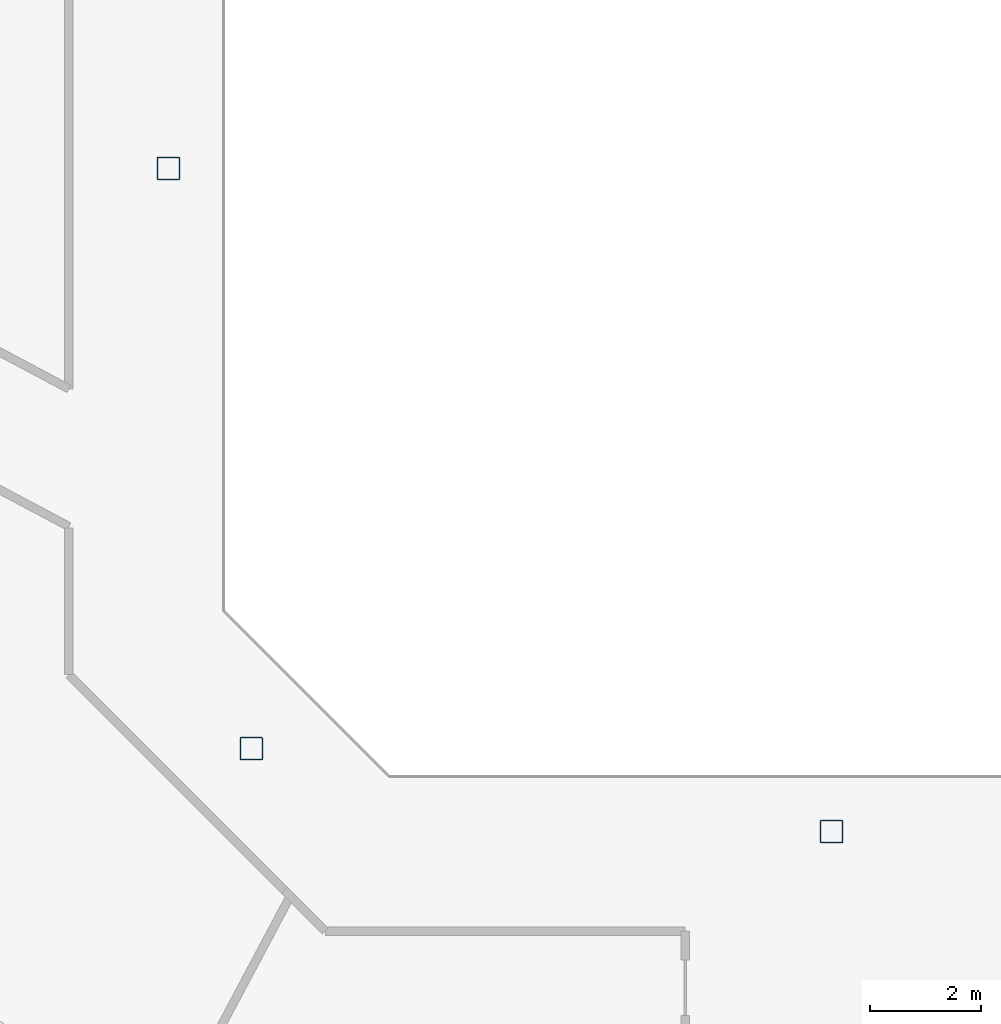
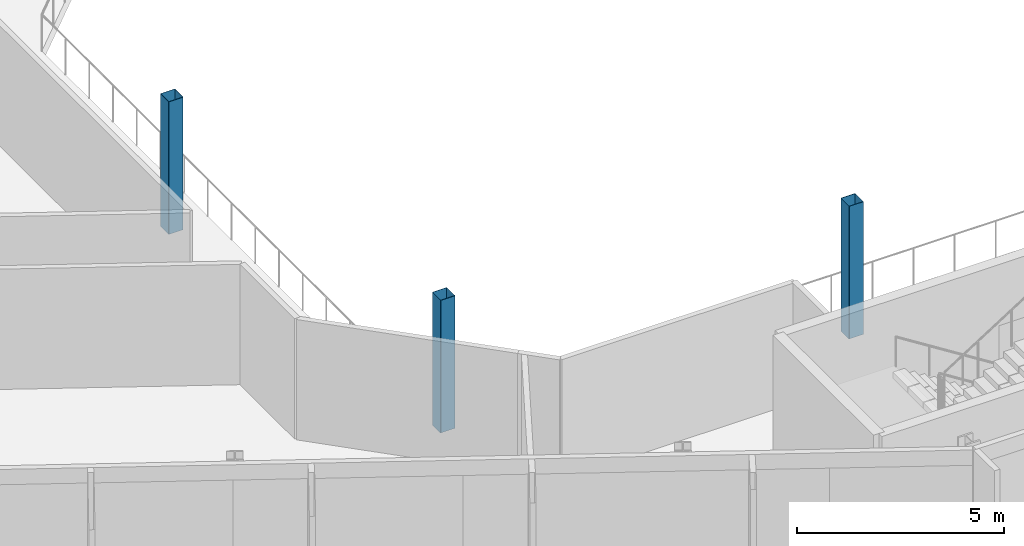
# One storey, part 2 of 26: 3 columns.
"""IFC4 building model written with IfcOpenShell, lengths in metres."""

from ifc_helpers import new_model, si_unit, direction, frame, origin, origin_2d, place, context, subcontext, project, spatial, hollow_rectangle, extrude, material, material_profile, profile_set, type_object, element, save


model = new_model("IFC4")

# Units and contexts
model_context = context("Model", 3, precision=1e-05, world=origin(), true_north=direction((0.0, 1.0)))
body_context = subcontext(model_context, "Body", "Model", "MODEL_VIEW")
ifc_project = project(units=[si_unit("LENGTHUNIT", "METRE"), si_unit("AREAUNIT", "SQUARE_METRE"), si_unit("VOLUMEUNIT", "CUBIC_METRE"), si_unit("PLANEANGLEUNIT", "RADIAN"), si_unit("MASSUNIT", "GRAM", prefix="KILO")], contexts=[model_context])

# Site, building, storey
site_placement = place(None, origin())
site = spatial("IfcSite", under=ifc_project, at=site_placement, CompositionType="ELEMENT")
building_placement = place(site_placement, origin())
building = spatial("IfcBuilding", under=site, at=building_placement, Name="Cormorant Relay Tower", CompositionType="ELEMENT")
storey_placement = place(building_placement, frame((0.0, 0.0, 277.5)))
storey = spatial("IfcBuildingStorey", under=building, at=storey_placement, Name="L62", CompositionType="ELEMENT", Elevation=277.5)

# Columns
ifc_material = material(Name="Steel ASTM A500 Grade C (Fy 345 MPa)", Category="steel")
ifc_material_profile = material_profile(ifc_material, hollow_rectangle(XDim=0.406494140625, YDim=0.406494140625, WallThickness=0.0087890625, InnerFilletRadius=0.00439453125, OuterFilletRadius=0.01318359375, at=origin_2d()), Name="HSS406x406x9")
ifc_profile_set = profile_set([ifc_material_profile], Name="Steel ASTM A500 Grade C (Fy 345 MPa)")
column_type = type_object("IfcColumnType", Name="Column HSS406x406x9", PredefinedType="COLUMN", material=ifc_profile_set)
for number, where, z_axis, x_axis, name in (
    (1, (0.0, -12.0, 0.0), (0.0, 0.0, 1.0), (1.0, 0.0, 0.0), "Column L62-007"),
    (2, (-10.5, -10.5, 0.0), (0.0, 0.0, 1.0), (1.0, 0.0, 0.0), "Column L62-009"),
    (3, (-12.0, 0.0, 0.0), (0.0, 0.0, 1.0), (1.0, 0.0, 0.0), "Column L62-015"),
):
    element("IfcColumn", number, at=place(storey_placement, frame(where, z_axis=z_axis, x_axis=x_axis)), inside=storey, type_object=column_type, Name=name, PredefinedType="COLUMN", context=body_context, shape_type="SweptSolid", body=[
        extrude(hollow_rectangle(XDim=0.406494140625, YDim=0.406494140625, WallThickness=0.0087890625, InnerFilletRadius=0.00439453125, OuterFilletRadius=0.01318359375, at=origin_2d()), origin(), (0.0, 0.0, 1.0), 3.89990234375),
    ])

save(model, "model.ifc")
